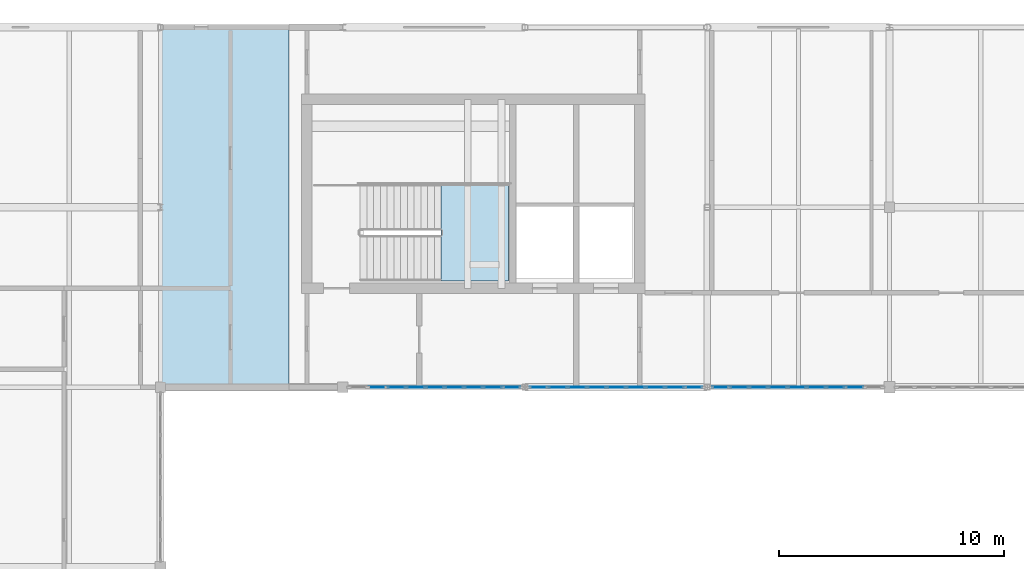
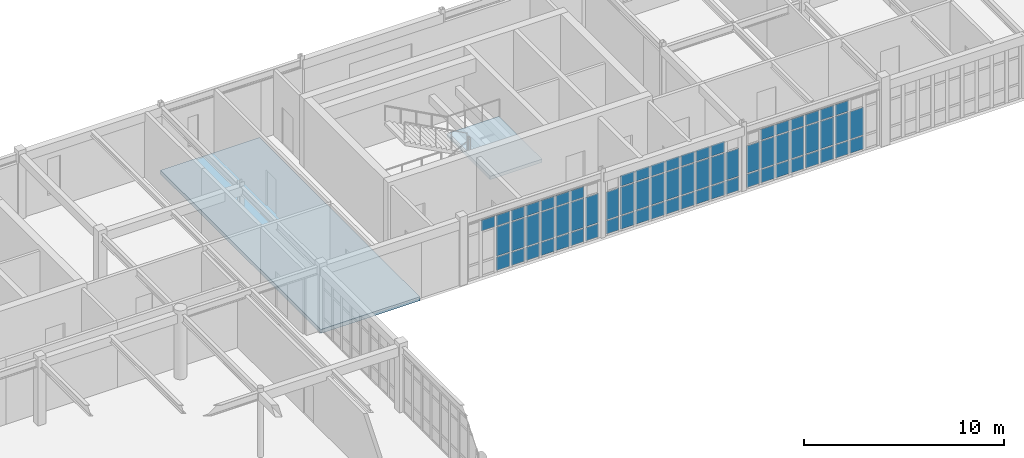
# One storey, part 26 of 36: 68 plates, 2 slabs, 4 elements without a shape of their own.
"""IFC4 building model written with IfcOpenShell, lengths in metres."""

from ifc_helpers import new_model, si_unit, direction, frame, origin, origin_2d, place, context, subcontext, project, spatial, polyline, rectangle, outline, extrude, material, layer, layer_set, type_object, element, aggregate, save


model = new_model("IFC4")

# Units and contexts
model_context = context("Model", 3, precision=1e-05, world=origin(), true_north=direction((0.0, 1.0)))
body_context = subcontext(model_context, "Body", "Model", "MODEL_VIEW")
ifc_project = project(units=[si_unit("LENGTHUNIT", "METRE"), si_unit("AREAUNIT", "SQUARE_METRE"), si_unit("VOLUMEUNIT", "CUBIC_METRE"), si_unit("PLANEANGLEUNIT", "RADIAN"), si_unit("MASSUNIT", "GRAM", prefix="KILO")], contexts=[model_context])

# Site, building, storey
site_placement = place(None, origin())
site = spatial("IfcSite", under=ifc_project, at=site_placement, CompositionType="ELEMENT")
building_placement = place(site_placement, origin())
building = spatial("IfcBuilding", under=site, at=building_placement, Name="Tarnveldt Square Police Headquarters", CompositionType="ELEMENT")
storey_placement = place(building_placement, frame((0.0, 0.0, 24.89990234375)))
storey = spatial("IfcBuildingStorey", under=building, at=storey_placement, Name="L05", CompositionType="ELEMENT", Elevation=24.89990234375)

# Curtain wall, plates
ifc_material_1 = material(Name="Triple-glazed low-e laminated vision glass", Category="glass")
curtain_wall_type_1 = type_object("IfcCurtainWallType", Name="CW-LB-771x349", PredefinedType="USERDEFINED", material=ifc_material_1)
curtain_wall_1_placement = place(storey_placement, origin())
curtain_wall_1 = element("IfcCurtainWall", 1, at=curtain_wall_1_placement, inside=storey, type_object=curtain_wall_type_1, Name="L05 Curtain Wall CW-L05-133", ObjectType="GLAZED CURTAIN WALL", PredefinedType="USERDEFINED")
ifc_layer_1 = layer(ifc_material_1, 0.028076171875)
ifc_layer_set_1 = layer_set([ifc_layer_1], Name="Triple-glazed low-e laminated vision glass")
plate_type = type_object("IfcPlateType", Name="CWP-VIS-28", PredefinedType="CURTAIN_PANEL", material=ifc_layer_set_1)
plate_1_placement = place(storey_placement, frame((50.125732421875, 96.0, 2.771484375), z_axis=(0.0, 0.0, 1.0), x_axis=(1.0, 0.0, 0.0)))
plate_1 = element("IfcPlate", 2, at=plate_1_placement, type_object=plate_type, Name="CW-LB80 panel 2.3", PredefinedType="CURTAIN_PANEL", context=body_context, shape_type="SweptSolid", body=[
    extrude(rectangle(XDim=0.7822265625, YDim=0.028076171875, at=origin_2d()), origin(), (0.0, 0.0, 1.0), 0.652587890625),
])
plate_2_placement = place(storey_placement, frame((50.983154296875, 96.0, 0.06494140625), z_axis=(0.0, 0.0, 1.0), x_axis=(1.0, 0.0, 0.0)))
plate_2 = element("IfcPlate", 3, at=plate_2_placement, type_object=plate_type, Name="CW-LB80 panel 3.1", PredefinedType="CURTAIN_PANEL", context=body_context, shape_type="SweptSolid", body=[
    extrude(rectangle(XDim=0.7822265625, YDim=0.028076171875, at=origin_2d()), origin(), (0.0, 0.0, 1.0), 0.802490234375),
])
plate_3_placement = place(storey_placement, frame((50.983154296875, 96.0, 0.9326171875), z_axis=(0.0, 0.0, 1.0), x_axis=(1.0, 0.0, 0.0)))
plate_3 = element("IfcPlate", 4, at=plate_3_placement, type_object=plate_type, Name="CW-LB80 panel 3.2", PredefinedType="CURTAIN_PANEL", context=body_context, shape_type="SweptSolid", body=[
    extrude(rectangle(XDim=0.7822265625, YDim=0.028076171875, at=origin_2d()), origin(), (0.0, 0.0, 1.0), 1.77392578125),
])
plate_4_placement = place(storey_placement, frame((50.983154296875, 96.0, 2.771484375), z_axis=(0.0, 0.0, 1.0), x_axis=(1.0, 0.0, 0.0)))
plate_4 = element("IfcPlate", 5, at=plate_4_placement, type_object=plate_type, Name="CW-LB80 panel 3.3", PredefinedType="CURTAIN_PANEL", context=body_context, shape_type="SweptSolid", body=[
    extrude(rectangle(XDim=0.7822265625, YDim=0.028076171875, at=origin_2d()), origin(), (0.0, 0.0, 1.0), 0.652587890625),
])
plate_5_placement = place(storey_placement, frame((51.84033203125, 96.0, 0.06494140625), z_axis=(0.0, 0.0, 1.0), x_axis=(1.0, 0.0, 0.0)))
plate_5 = element("IfcPlate", 6, at=plate_5_placement, type_object=plate_type, Name="CW-LB80 panel 4.1", PredefinedType="CURTAIN_PANEL", context=body_context, shape_type="SweptSolid", body=[
    extrude(rectangle(XDim=0.7822265625, YDim=0.028076171875, at=origin_2d()), origin(), (0.0, 0.0, 1.0), 0.802490234375),
])
plate_6_placement = place(storey_placement, frame((51.84033203125, 96.0, 0.9326171875), z_axis=(0.0, 0.0, 1.0), x_axis=(1.0, 0.0, 0.0)))
plate_6 = element("IfcPlate", 7, at=plate_6_placement, type_object=plate_type, Name="CW-LB80 panel 4.2", PredefinedType="CURTAIN_PANEL", context=body_context, shape_type="SweptSolid", body=[
    extrude(rectangle(XDim=0.7822265625, YDim=0.028076171875, at=origin_2d()), origin(), (0.0, 0.0, 1.0), 1.77392578125),
])
plate_7_placement = place(storey_placement, frame((51.84033203125, 96.0, 2.771484375), z_axis=(0.0, 0.0, 1.0), x_axis=(1.0, 0.0, 0.0)))
plate_7 = element("IfcPlate", 8, at=plate_7_placement, type_object=plate_type, Name="CW-LB80 panel 4.3", PredefinedType="CURTAIN_PANEL", context=body_context, shape_type="SweptSolid", body=[
    extrude(rectangle(XDim=0.7822265625, YDim=0.028076171875, at=origin_2d()), origin(), (0.0, 0.0, 1.0), 0.652587890625),
])
plate_8_placement = place(storey_placement, frame((52.697509765625, 96.0, 0.06494140625), z_axis=(0.0, 0.0, 1.0), x_axis=(1.0, 0.0, 0.0)))
plate_8 = element("IfcPlate", 9, at=plate_8_placement, type_object=plate_type, Name="CW-LB80 panel 5.1", PredefinedType="CURTAIN_PANEL", context=body_context, shape_type="SweptSolid", body=[
    extrude(rectangle(XDim=0.7822265625, YDim=0.028076171875, at=origin_2d()), origin(), (0.0, 0.0, 1.0), 0.802490234375),
])
plate_9_placement = place(storey_placement, frame((52.697509765625, 96.0, 0.9326171875), z_axis=(0.0, 0.0, 1.0), x_axis=(1.0, 0.0, 0.0)))
plate_9 = element("IfcPlate", 10, at=plate_9_placement, type_object=plate_type, Name="CW-LB80 panel 5.2", PredefinedType="CURTAIN_PANEL", context=body_context, shape_type="SweptSolid", body=[
    extrude(rectangle(XDim=0.7822265625, YDim=0.028076171875, at=origin_2d()), origin(), (0.0, 0.0, 1.0), 1.77392578125),
])
plate_10_placement = place(storey_placement, frame((52.697509765625, 96.0, 2.771484375), z_axis=(0.0, 0.0, 1.0), x_axis=(1.0, 0.0, 0.0)))
plate_10 = element("IfcPlate", 11, at=plate_10_placement, type_object=plate_type, Name="CW-LB80 panel 5.3", PredefinedType="CURTAIN_PANEL", context=body_context, shape_type="SweptSolid", body=[
    extrude(rectangle(XDim=0.7822265625, YDim=0.028076171875, at=origin_2d()), origin(), (0.0, 0.0, 1.0), 0.652587890625),
])
plate_11_placement = place(storey_placement, frame((53.5546875, 96.0, 0.06494140625), z_axis=(0.0, 0.0, 1.0), x_axis=(1.0, 0.0, 0.0)))
plate_11 = element("IfcPlate", 12, at=plate_11_placement, type_object=plate_type, Name="CW-LB80 panel 6.1", PredefinedType="CURTAIN_PANEL", context=body_context, shape_type="SweptSolid", body=[
    extrude(rectangle(XDim=0.7822265625, YDim=0.028076171875, at=origin_2d()), origin(), (0.0, 0.0, 1.0), 0.802490234375),
])
plate_12_placement = place(storey_placement, frame((53.5546875, 96.0, 0.9326171875), z_axis=(0.0, 0.0, 1.0), x_axis=(1.0, 0.0, 0.0)))
plate_12 = element("IfcPlate", 13, at=plate_12_placement, type_object=plate_type, Name="CW-LB80 panel 6.2", PredefinedType="CURTAIN_PANEL", context=body_context, shape_type="SweptSolid", body=[
    extrude(rectangle(XDim=0.7822265625, YDim=0.028076171875, at=origin_2d()), origin(), (0.0, 0.0, 1.0), 1.77392578125),
])
plate_13_placement = place(storey_placement, frame((53.5546875, 96.0, 2.771484375), z_axis=(0.0, 0.0, 1.0), x_axis=(1.0, 0.0, 0.0)))
plate_13 = element("IfcPlate", 14, at=plate_13_placement, type_object=plate_type, Name="CW-LB80 panel 6.3", PredefinedType="CURTAIN_PANEL", context=body_context, shape_type="SweptSolid", body=[
    extrude(rectangle(XDim=0.7822265625, YDim=0.028076171875, at=origin_2d()), origin(), (0.0, 0.0, 1.0), 0.652587890625),
])
plate_14_placement = place(storey_placement, frame((54.411865234375, 96.0, 0.06494140625), z_axis=(0.0, 0.0, 1.0), x_axis=(1.0, 0.0, 0.0)))
plate_14 = element("IfcPlate", 15, at=plate_14_placement, type_object=plate_type, Name="CW-LB80 panel 7.1", PredefinedType="CURTAIN_PANEL", context=body_context, shape_type="SweptSolid", body=[
    extrude(rectangle(XDim=0.7822265625, YDim=0.028076171875, at=origin_2d()), origin(), (0.0, 0.0, 1.0), 0.802490234375),
])
plate_15_placement = place(storey_placement, frame((54.411865234375, 96.0, 0.9326171875), z_axis=(0.0, 0.0, 1.0), x_axis=(1.0, 0.0, 0.0)))
plate_15 = element("IfcPlate", 16, at=plate_15_placement, type_object=plate_type, Name="CW-LB80 panel 7.2", PredefinedType="CURTAIN_PANEL", context=body_context, shape_type="SweptSolid", body=[
    extrude(rectangle(XDim=0.7822265625, YDim=0.028076171875, at=origin_2d()), origin(), (0.0, 0.0, 1.0), 1.77392578125),
])
plate_16_placement = place(storey_placement, frame((54.411865234375, 96.0, 2.771484375), z_axis=(0.0, 0.0, 1.0), x_axis=(1.0, 0.0, 0.0)))
plate_16 = element("IfcPlate", 17, at=plate_16_placement, type_object=plate_type, Name="CW-LB80 panel 7.3", PredefinedType="CURTAIN_PANEL", context=body_context, shape_type="SweptSolid", body=[
    extrude(rectangle(XDim=0.7822265625, YDim=0.028076171875, at=origin_2d()), origin(), (0.0, 0.0, 1.0), 0.652587890625),
])
plate_17_placement = place(storey_placement, frame((55.269287109375, 96.0, 0.06494140625), z_axis=(0.0, 0.0, 1.0), x_axis=(1.0, 0.0, 0.0)))
plate_17 = element("IfcPlate", 18, at=plate_17_placement, type_object=plate_type, Name="CW-LB80 panel 8.1", PredefinedType="CURTAIN_PANEL", context=body_context, shape_type="SweptSolid", body=[
    extrude(rectangle(XDim=0.7822265625, YDim=0.028076171875, at=origin_2d()), origin(), (0.0, 0.0, 1.0), 0.802490234375),
])
plate_18_placement = place(storey_placement, frame((55.269287109375, 96.0, 0.9326171875), z_axis=(0.0, 0.0, 1.0), x_axis=(1.0, 0.0, 0.0)))
plate_18 = element("IfcPlate", 19, at=plate_18_placement, type_object=plate_type, Name="CW-LB80 panel 8.2", PredefinedType="CURTAIN_PANEL", context=body_context, shape_type="SweptSolid", body=[
    extrude(rectangle(XDim=0.7822265625, YDim=0.028076171875, at=origin_2d()), origin(), (0.0, 0.0, 1.0), 1.77392578125),
])
plate_19_placement = place(storey_placement, frame((55.269287109375, 96.0, 2.771484375), z_axis=(0.0, 0.0, 1.0), x_axis=(1.0, 0.0, 0.0)))
plate_19 = element("IfcPlate", 20, at=plate_19_placement, type_object=plate_type, Name="CW-LB80 panel 8.3", PredefinedType="CURTAIN_PANEL", context=body_context, shape_type="SweptSolid", body=[
    extrude(rectangle(XDim=0.7822265625, YDim=0.028076171875, at=origin_2d()), origin(), (0.0, 0.0, 1.0), 0.652587890625),
])
plate_20_placement = place(storey_placement, frame((56.107666015625, 96.0, 0.06494140625), z_axis=(0.0, 0.0, 1.0), x_axis=(1.0, 0.0, 0.0)))
plate_20 = element("IfcPlate", 21, at=plate_20_placement, type_object=plate_type, Name="CW-LB80 panel 9.1", PredefinedType="CURTAIN_PANEL", context=body_context, shape_type="SweptSolid", body=[
    extrude(rectangle(XDim=0.74462890625, YDim=0.028076171875, at=origin_2d()), origin(), (0.0, 0.0, 1.0), 0.802490234375),
])
plate_21_placement = place(storey_placement, frame((56.107666015625, 96.0, 0.9326171875), z_axis=(0.0, 0.0, 1.0), x_axis=(1.0, 0.0, 0.0)))
plate_21 = element("IfcPlate", 22, at=plate_21_placement, type_object=plate_type, Name="CW-LB80 panel 9.2", PredefinedType="CURTAIN_PANEL", context=body_context, shape_type="SweptSolid", body=[
    extrude(rectangle(XDim=0.74462890625, YDim=0.028076171875, at=origin_2d()), origin(), (0.0, 0.0, 1.0), 1.77392578125),
])
aggregate(curtain_wall_1, [plate_1, plate_2, plate_3, plate_4, plate_5, plate_6, plate_7, plate_8, plate_9, plate_10, plate_11, plate_12, plate_13, plate_14, plate_15, plate_16, plate_17, plate_18, plate_19, plate_20, plate_21])

curtain_wall_type_2 = type_object("IfcCurtainWallType", Name="CW-LB-781x340", PredefinedType="USERDEFINED", material=ifc_material_1)
curtain_wall_2_placement = place(storey_placement, origin())
curtain_wall_2 = element("IfcCurtainWall", 23, at=curtain_wall_2_placement, inside=storey, type_object=curtain_wall_type_2, Name="L05 Curtain Wall CW-L05-134", ObjectType="GLAZED CURTAIN WALL", PredefinedType="USERDEFINED")
plate_22_placement = place(storey_placement, frame((57.297607421875, 96.0, 0.06494140625), z_axis=(0.0, 0.0, 1.0), x_axis=(1.0, 0.0, 0.0)))
plate_22 = element("IfcPlate", 24, at=plate_22_placement, type_object=plate_type, Name="CW-LB81 panel 1.1", PredefinedType="CURTAIN_PANEL", context=body_context, shape_type="SweptSolid", body=[
    extrude(rectangle(XDim=0.75537109375, YDim=0.028076171875, at=origin_2d()), origin(), (0.0, 0.0, 1.0), 0.802490234375),
])
plate_23_placement = place(storey_placement, frame((57.297607421875, 96.0, 0.9326171875), z_axis=(0.0, 0.0, 1.0), x_axis=(1.0, 0.0, 0.0)))
plate_23 = element("IfcPlate", 25, at=plate_23_placement, type_object=plate_type, Name="CW-LB81 panel 1.2", PredefinedType="CURTAIN_PANEL", context=body_context, shape_type="SweptSolid", body=[
    extrude(rectangle(XDim=0.75537109375, YDim=0.028076171875, at=origin_2d()), origin(), (0.0, 0.0, 1.0), 1.68701171875),
])
plate_24_placement = place(storey_placement, frame((58.146728515625, 96.0, 0.06494140625), z_axis=(0.0, 0.0, 1.0), x_axis=(1.0, 0.0, 0.0)))
plate_24 = element("IfcPlate", 26, at=plate_24_placement, type_object=plate_type, Name="CW-LB81 panel 2.1", PredefinedType="CURTAIN_PANEL", context=body_context, shape_type="SweptSolid", body=[
    extrude(rectangle(XDim=0.792724609375, YDim=0.028076171875, at=origin_2d()), origin(), (0.0, 0.0, 1.0), 0.802490234375),
])
plate_25_placement = place(storey_placement, frame((58.146728515625, 96.0, 0.9326171875), z_axis=(0.0, 0.0, 1.0), x_axis=(1.0, 0.0, 0.0)))
plate_25 = element("IfcPlate", 27, at=plate_25_placement, type_object=plate_type, Name="CW-LB81 panel 2.2", PredefinedType="CURTAIN_PANEL", context=body_context, shape_type="SweptSolid", body=[
    extrude(rectangle(XDim=0.792724609375, YDim=0.028076171875, at=origin_2d()), origin(), (0.0, 0.0, 1.0), 1.68701171875),
])
plate_26_placement = place(storey_placement, frame((58.146728515625, 96.0, 2.6845703125), z_axis=(0.0, 0.0, 1.0), x_axis=(1.0, 0.0, 0.0)))
plate_26 = element("IfcPlate", 28, at=plate_26_placement, type_object=plate_type, Name="CW-LB81 panel 2.3", PredefinedType="CURTAIN_PANEL", context=body_context, shape_type="SweptSolid", body=[
    extrude(rectangle(XDim=0.792724609375, YDim=0.028076171875, at=origin_2d()), origin(), (0.0, 0.0, 1.0), 0.652587890625),
])
plate_27_placement = place(storey_placement, frame((59.014404296875, 96.0, 0.06494140625), z_axis=(0.0, 0.0, 1.0), x_axis=(1.0, 0.0, 0.0)))
plate_27 = element("IfcPlate", 29, at=plate_27_placement, type_object=plate_type, Name="CW-LB81 panel 3.1", PredefinedType="CURTAIN_PANEL", context=body_context, shape_type="SweptSolid", body=[
    extrude(rectangle(XDim=0.792724609375, YDim=0.028076171875, at=origin_2d()), origin(), (0.0, 0.0, 1.0), 0.802490234375),
])
plate_28_placement = place(storey_placement, frame((59.014404296875, 96.0, 0.9326171875), z_axis=(0.0, 0.0, 1.0), x_axis=(1.0, 0.0, 0.0)))
plate_28 = element("IfcPlate", 30, at=plate_28_placement, type_object=plate_type, Name="CW-LB81 panel 3.2", PredefinedType="CURTAIN_PANEL", context=body_context, shape_type="SweptSolid", body=[
    extrude(rectangle(XDim=0.792724609375, YDim=0.028076171875, at=origin_2d()), origin(), (0.0, 0.0, 1.0), 1.68701171875),
])
plate_29_placement = place(storey_placement, frame((59.014404296875, 96.0, 2.6845703125), z_axis=(0.0, 0.0, 1.0), x_axis=(1.0, 0.0, 0.0)))
plate_29 = element("IfcPlate", 31, at=plate_29_placement, type_object=plate_type, Name="CW-LB81 panel 3.3", PredefinedType="CURTAIN_PANEL", context=body_context, shape_type="SweptSolid", body=[
    extrude(rectangle(XDim=0.792724609375, YDim=0.028076171875, at=origin_2d()), origin(), (0.0, 0.0, 1.0), 0.652587890625),
])
plate_30_placement = place(storey_placement, frame((59.88232421875, 96.0, 0.06494140625), z_axis=(0.0, 0.0, 1.0), x_axis=(1.0, 0.0, 0.0)))
plate_30 = element("IfcPlate", 32, at=plate_30_placement, type_object=plate_type, Name="CW-LB81 panel 4.1", PredefinedType="CURTAIN_PANEL", context=body_context, shape_type="SweptSolid", body=[
    extrude(rectangle(XDim=0.792724609375, YDim=0.028076171875, at=origin_2d()), origin(), (0.0, 0.0, 1.0), 0.802490234375),
])
plate_31_placement = place(storey_placement, frame((59.88232421875, 96.0, 0.9326171875), z_axis=(0.0, 0.0, 1.0), x_axis=(1.0, 0.0, 0.0)))
plate_31 = element("IfcPlate", 33, at=plate_31_placement, type_object=plate_type, Name="CW-LB81 panel 4.2", PredefinedType="CURTAIN_PANEL", context=body_context, shape_type="SweptSolid", body=[
    extrude(rectangle(XDim=0.792724609375, YDim=0.028076171875, at=origin_2d()), origin(), (0.0, 0.0, 1.0), 1.68701171875),
])
plate_32_placement = place(storey_placement, frame((59.88232421875, 96.0, 2.6845703125), z_axis=(0.0, 0.0, 1.0), x_axis=(1.0, 0.0, 0.0)))
plate_32 = element("IfcPlate", 34, at=plate_32_placement, type_object=plate_type, Name="CW-LB81 panel 4.3", PredefinedType="CURTAIN_PANEL", context=body_context, shape_type="SweptSolid", body=[
    extrude(rectangle(XDim=0.792724609375, YDim=0.028076171875, at=origin_2d()), origin(), (0.0, 0.0, 1.0), 0.652587890625),
])
plate_33_placement = place(storey_placement, frame((60.75, 96.0, 0.06494140625), z_axis=(0.0, 0.0, 1.0), x_axis=(1.0, 0.0, 0.0)))
plate_33 = element("IfcPlate", 35, at=plate_33_placement, type_object=plate_type, Name="CW-LB81 panel 5.1", PredefinedType="CURTAIN_PANEL", context=body_context, shape_type="SweptSolid", body=[
    extrude(rectangle(XDim=0.792724609375, YDim=0.028076171875, at=origin_2d()), origin(), (0.0, 0.0, 1.0), 0.802490234375),
])
plate_34_placement = place(storey_placement, frame((60.75, 96.0, 0.9326171875), z_axis=(0.0, 0.0, 1.0), x_axis=(1.0, 0.0, 0.0)))
plate_34 = element("IfcPlate", 36, at=plate_34_placement, type_object=plate_type, Name="CW-LB81 panel 5.2", PredefinedType="CURTAIN_PANEL", context=body_context, shape_type="SweptSolid", body=[
    extrude(rectangle(XDim=0.792724609375, YDim=0.028076171875, at=origin_2d()), origin(), (0.0, 0.0, 1.0), 1.68701171875),
])
plate_35_placement = place(storey_placement, frame((60.75, 96.0, 2.6845703125), z_axis=(0.0, 0.0, 1.0), x_axis=(1.0, 0.0, 0.0)))
plate_35 = element("IfcPlate", 37, at=plate_35_placement, type_object=plate_type, Name="CW-LB81 panel 5.3", PredefinedType="CURTAIN_PANEL", context=body_context, shape_type="SweptSolid", body=[
    extrude(rectangle(XDim=0.792724609375, YDim=0.028076171875, at=origin_2d()), origin(), (0.0, 0.0, 1.0), 0.652587890625),
])
plate_36_placement = place(storey_placement, frame((61.61767578125, 96.0, 0.06494140625), z_axis=(0.0, 0.0, 1.0), x_axis=(1.0, 0.0, 0.0)))
plate_36 = element("IfcPlate", 38, at=plate_36_placement, type_object=plate_type, Name="CW-LB81 panel 6.1", PredefinedType="CURTAIN_PANEL", context=body_context, shape_type="SweptSolid", body=[
    extrude(rectangle(XDim=0.792724609375, YDim=0.028076171875, at=origin_2d()), origin(), (0.0, 0.0, 1.0), 0.802490234375),
])
plate_37_placement = place(storey_placement, frame((61.61767578125, 96.0, 0.9326171875), z_axis=(0.0, 0.0, 1.0), x_axis=(1.0, 0.0, 0.0)))
plate_37 = element("IfcPlate", 39, at=plate_37_placement, type_object=plate_type, Name="CW-LB81 panel 6.2", PredefinedType="CURTAIN_PANEL", context=body_context, shape_type="SweptSolid", body=[
    extrude(rectangle(XDim=0.792724609375, YDim=0.028076171875, at=origin_2d()), origin(), (0.0, 0.0, 1.0), 1.68701171875),
])
plate_38_placement = place(storey_placement, frame((61.61767578125, 96.0, 2.6845703125), z_axis=(0.0, 0.0, 1.0), x_axis=(1.0, 0.0, 0.0)))
plate_38 = element("IfcPlate", 40, at=plate_38_placement, type_object=plate_type, Name="CW-LB81 panel 6.3", PredefinedType="CURTAIN_PANEL", context=body_context, shape_type="SweptSolid", body=[
    extrude(rectangle(XDim=0.792724609375, YDim=0.028076171875, at=origin_2d()), origin(), (0.0, 0.0, 1.0), 0.652587890625),
])
plate_39_placement = place(storey_placement, frame((62.485595703125, 96.0, 0.06494140625), z_axis=(0.0, 0.0, 1.0), x_axis=(1.0, 0.0, 0.0)))
plate_39 = element("IfcPlate", 41, at=plate_39_placement, type_object=plate_type, Name="CW-LB81 panel 7.1", PredefinedType="CURTAIN_PANEL", context=body_context, shape_type="SweptSolid", body=[
    extrude(rectangle(XDim=0.792724609375, YDim=0.028076171875, at=origin_2d()), origin(), (0.0, 0.0, 1.0), 0.802490234375),
])
plate_40_placement = place(storey_placement, frame((62.485595703125, 96.0, 0.9326171875), z_axis=(0.0, 0.0, 1.0), x_axis=(1.0, 0.0, 0.0)))
plate_40 = element("IfcPlate", 42, at=plate_40_placement, type_object=plate_type, Name="CW-LB81 panel 7.2", PredefinedType="CURTAIN_PANEL", context=body_context, shape_type="SweptSolid", body=[
    extrude(rectangle(XDim=0.792724609375, YDim=0.028076171875, at=origin_2d()), origin(), (0.0, 0.0, 1.0), 1.68701171875),
])
plate_41_placement = place(storey_placement, frame((62.485595703125, 96.0, 2.6845703125), z_axis=(0.0, 0.0, 1.0), x_axis=(1.0, 0.0, 0.0)))
plate_41 = element("IfcPlate", 43, at=plate_41_placement, type_object=plate_type, Name="CW-LB81 panel 7.3", PredefinedType="CURTAIN_PANEL", context=body_context, shape_type="SweptSolid", body=[
    extrude(rectangle(XDim=0.792724609375, YDim=0.028076171875, at=origin_2d()), origin(), (0.0, 0.0, 1.0), 0.652587890625),
])
plate_42_placement = place(storey_placement, frame((63.353271484375, 96.0, 0.06494140625), z_axis=(0.0, 0.0, 1.0), x_axis=(1.0, 0.0, 0.0)))
plate_42 = element("IfcPlate", 44, at=plate_42_placement, type_object=plate_type, Name="CW-LB81 panel 8.1", PredefinedType="CURTAIN_PANEL", context=body_context, shape_type="SweptSolid", body=[
    extrude(rectangle(XDim=0.792724609375, YDim=0.028076171875, at=origin_2d()), origin(), (0.0, 0.0, 1.0), 0.802490234375),
])
plate_43_placement = place(storey_placement, frame((63.353271484375, 96.0, 0.9326171875), z_axis=(0.0, 0.0, 1.0), x_axis=(1.0, 0.0, 0.0)))
plate_43 = element("IfcPlate", 45, at=plate_43_placement, type_object=plate_type, Name="CW-LB81 panel 8.2", PredefinedType="CURTAIN_PANEL", context=body_context, shape_type="SweptSolid", body=[
    extrude(rectangle(XDim=0.792724609375, YDim=0.028076171875, at=origin_2d()), origin(), (0.0, 0.0, 1.0), 1.68701171875),
])
plate_44_placement = place(storey_placement, frame((63.353271484375, 96.0, 2.6845703125), z_axis=(0.0, 0.0, 1.0), x_axis=(1.0, 0.0, 0.0)))
plate_44 = element("IfcPlate", 46, at=plate_44_placement, type_object=plate_type, Name="CW-LB81 panel 8.3", PredefinedType="CURTAIN_PANEL", context=body_context, shape_type="SweptSolid", body=[
    extrude(rectangle(XDim=0.792724609375, YDim=0.028076171875, at=origin_2d()), origin(), (0.0, 0.0, 1.0), 0.652587890625),
])
plate_45_placement = place(storey_placement, frame((64.202392578125, 96.0, 0.06494140625), z_axis=(0.0, 0.0, 1.0), x_axis=(1.0, 0.0, 0.0)))
plate_45 = element("IfcPlate", 47, at=plate_45_placement, type_object=plate_type, Name="CW-LB81 panel 9.1", PredefinedType="CURTAIN_PANEL", context=body_context, shape_type="SweptSolid", body=[
    extrude(rectangle(XDim=0.75537109375, YDim=0.028076171875, at=origin_2d()), origin(), (0.0, 0.0, 1.0), 0.802490234375),
])
plate_46_placement = place(storey_placement, frame((64.202392578125, 96.0, 0.9326171875), z_axis=(0.0, 0.0, 1.0), x_axis=(1.0, 0.0, 0.0)))
plate_46 = element("IfcPlate", 48, at=plate_46_placement, type_object=plate_type, Name="CW-LB81 panel 9.2", PredefinedType="CURTAIN_PANEL", context=body_context, shape_type="SweptSolid", body=[
    extrude(rectangle(XDim=0.75537109375, YDim=0.028076171875, at=origin_2d()), origin(), (0.0, 0.0, 1.0), 1.68701171875),
])
aggregate(curtain_wall_2, [plate_22, plate_23, plate_24, plate_25, plate_26, plate_27, plate_28, plate_29, plate_30, plate_31, plate_32, plate_33, plate_34, plate_35, plate_36, plate_37, plate_38, plate_39, plate_40, plate_41, plate_42, plate_43, plate_44, plate_45, plate_46])

curtain_wall_type_3 = type_object("IfcCurtainWallType", Name="CW-LB-769x339", PredefinedType="USERDEFINED", material=ifc_material_1)
curtain_wall_3_placement = place(storey_placement, origin())
curtain_wall_3 = element("IfcCurtainWall", 49, at=curtain_wall_3_placement, inside=storey, type_object=curtain_wall_type_3, Name="L05 Curtain Wall CW-L05-135", ObjectType="GLAZED CURTAIN WALL", PredefinedType="USERDEFINED")
plate_47_placement = place(storey_placement, frame((65.390869140625, 96.0, 0.06494140625), z_axis=(0.0, 0.0, 1.0), x_axis=(1.0, 0.0, 0.0)))
plate_47 = element("IfcPlate", 50, at=plate_47_placement, type_object=plate_type, Name="CW-LB82 panel 1.1", PredefinedType="CURTAIN_PANEL", context=body_context, shape_type="SweptSolid", body=[
    extrude(rectangle(XDim=0.741943359375, YDim=0.028076171875, at=origin_2d()), origin(), (0.0, 0.0, 1.0), 0.802490234375),
])
plate_48_placement = place(storey_placement, frame((65.390869140625, 96.0, 0.9326171875), z_axis=(0.0, 0.0, 1.0), x_axis=(1.0, 0.0, 0.0)))
plate_48 = element("IfcPlate", 51, at=plate_48_placement, type_object=plate_type, Name="CW-LB82 panel 1.2", PredefinedType="CURTAIN_PANEL", context=body_context, shape_type="SweptSolid", body=[
    extrude(rectangle(XDim=0.741943359375, YDim=0.028076171875, at=origin_2d()), origin(), (0.0, 0.0, 1.0), 1.674072265625),
])
plate_49_placement = place(storey_placement, frame((66.2265625, 96.0, 0.06494140625), z_axis=(0.0, 0.0, 1.0), x_axis=(1.0, 0.0, 0.0)))
plate_49 = element("IfcPlate", 52, at=plate_49_placement, type_object=plate_type, Name="CW-LB82 panel 2.1", PredefinedType="CURTAIN_PANEL", context=body_context, shape_type="SweptSolid", body=[
    extrude(rectangle(XDim=0.779541015625, YDim=0.028076171875, at=origin_2d()), origin(), (0.0, 0.0, 1.0), 0.802490234375),
])
plate_50_placement = place(storey_placement, frame((66.2265625, 96.0, 0.9326171875), z_axis=(0.0, 0.0, 1.0), x_axis=(1.0, 0.0, 0.0)))
plate_50 = element("IfcPlate", 53, at=plate_50_placement, type_object=plate_type, Name="CW-LB82 panel 2.2", PredefinedType="CURTAIN_PANEL", context=body_context, shape_type="SweptSolid", body=[
    extrude(rectangle(XDim=0.779541015625, YDim=0.028076171875, at=origin_2d()), origin(), (0.0, 0.0, 1.0), 1.674072265625),
])
plate_51_placement = place(storey_placement, frame((66.2265625, 96.0, 2.67138671875), z_axis=(0.0, 0.0, 1.0), x_axis=(1.0, 0.0, 0.0)))
plate_51 = element("IfcPlate", 54, at=plate_51_placement, type_object=plate_type, Name="CW-LB82 panel 2.3", PredefinedType="CURTAIN_PANEL", context=body_context, shape_type="SweptSolid", body=[
    extrude(rectangle(XDim=0.779541015625, YDim=0.028076171875, at=origin_2d()), origin(), (0.0, 0.0, 1.0), 0.652587890625),
])
plate_52_placement = place(storey_placement, frame((67.0810546875, 96.0, 0.06494140625), z_axis=(0.0, 0.0, 1.0), x_axis=(1.0, 0.0, 0.0)))
plate_52 = element("IfcPlate", 55, at=plate_52_placement, type_object=plate_type, Name="CW-LB82 panel 3.1", PredefinedType="CURTAIN_PANEL", context=body_context, shape_type="SweptSolid", body=[
    extrude(rectangle(XDim=0.779541015625, YDim=0.028076171875, at=origin_2d()), origin(), (0.0, 0.0, 1.0), 0.802490234375),
])
plate_53_placement = place(storey_placement, frame((67.0810546875, 96.0, 0.9326171875), z_axis=(0.0, 0.0, 1.0), x_axis=(1.0, 0.0, 0.0)))
plate_53 = element("IfcPlate", 56, at=plate_53_placement, type_object=plate_type, Name="CW-LB82 panel 3.2", PredefinedType="CURTAIN_PANEL", context=body_context, shape_type="SweptSolid", body=[
    extrude(rectangle(XDim=0.779541015625, YDim=0.028076171875, at=origin_2d()), origin(), (0.0, 0.0, 1.0), 1.674072265625),
])
plate_54_placement = place(storey_placement, frame((67.0810546875, 96.0, 2.67138671875), z_axis=(0.0, 0.0, 1.0), x_axis=(1.0, 0.0, 0.0)))
plate_54 = element("IfcPlate", 57, at=plate_54_placement, type_object=plate_type, Name="CW-LB82 panel 3.3", PredefinedType="CURTAIN_PANEL", context=body_context, shape_type="SweptSolid", body=[
    extrude(rectangle(XDim=0.779541015625, YDim=0.028076171875, at=origin_2d()), origin(), (0.0, 0.0, 1.0), 0.652587890625),
])
plate_55_placement = place(storey_placement, frame((67.935546875, 96.0, 0.06494140625), z_axis=(0.0, 0.0, 1.0), x_axis=(1.0, 0.0, 0.0)))
plate_55 = element("IfcPlate", 58, at=plate_55_placement, type_object=plate_type, Name="CW-LB82 panel 4.1", PredefinedType="CURTAIN_PANEL", context=body_context, shape_type="SweptSolid", body=[
    extrude(rectangle(XDim=0.779541015625, YDim=0.028076171875, at=origin_2d()), origin(), (0.0, 0.0, 1.0), 0.802490234375),
])
plate_56_placement = place(storey_placement, frame((67.935546875, 96.0, 0.9326171875), z_axis=(0.0, 0.0, 1.0), x_axis=(1.0, 0.0, 0.0)))
plate_56 = element("IfcPlate", 59, at=plate_56_placement, type_object=plate_type, Name="CW-LB82 panel 4.2", PredefinedType="CURTAIN_PANEL", context=body_context, shape_type="SweptSolid", body=[
    extrude(rectangle(XDim=0.779541015625, YDim=0.028076171875, at=origin_2d()), origin(), (0.0, 0.0, 1.0), 1.674072265625),
])
plate_57_placement = place(storey_placement, frame((67.935546875, 96.0, 2.67138671875), z_axis=(0.0, 0.0, 1.0), x_axis=(1.0, 0.0, 0.0)))
plate_57 = element("IfcPlate", 60, at=plate_57_placement, type_object=plate_type, Name="CW-LB82 panel 4.3", PredefinedType="CURTAIN_PANEL", context=body_context, shape_type="SweptSolid", body=[
    extrude(rectangle(XDim=0.779541015625, YDim=0.028076171875, at=origin_2d()), origin(), (0.0, 0.0, 1.0), 0.652587890625),
])
plate_58_placement = place(storey_placement, frame((68.7900390625, 96.0, 0.06494140625), z_axis=(0.0, 0.0, 1.0), x_axis=(1.0, 0.0, 0.0)))
plate_58 = element("IfcPlate", 61, at=plate_58_placement, type_object=plate_type, Name="CW-LB82 panel 5.1", PredefinedType="CURTAIN_PANEL", context=body_context, shape_type="SweptSolid", body=[
    extrude(rectangle(XDim=0.779541015625, YDim=0.028076171875, at=origin_2d()), origin(), (0.0, 0.0, 1.0), 0.802490234375),
])
plate_59_placement = place(storey_placement, frame((68.7900390625, 96.0, 0.9326171875), z_axis=(0.0, 0.0, 1.0), x_axis=(1.0, 0.0, 0.0)))
plate_59 = element("IfcPlate", 62, at=plate_59_placement, type_object=plate_type, Name="CW-LB82 panel 5.2", PredefinedType="CURTAIN_PANEL", context=body_context, shape_type="SweptSolid", body=[
    extrude(rectangle(XDim=0.779541015625, YDim=0.028076171875, at=origin_2d()), origin(), (0.0, 0.0, 1.0), 1.674072265625),
])
plate_60_placement = place(storey_placement, frame((68.7900390625, 96.0, 2.67138671875), z_axis=(0.0, 0.0, 1.0), x_axis=(1.0, 0.0, 0.0)))
plate_60 = element("IfcPlate", 63, at=plate_60_placement, type_object=plate_type, Name="CW-LB82 panel 5.3", PredefinedType="CURTAIN_PANEL", context=body_context, shape_type="SweptSolid", body=[
    extrude(rectangle(XDim=0.779541015625, YDim=0.028076171875, at=origin_2d()), origin(), (0.0, 0.0, 1.0), 0.652587890625),
])
plate_61_placement = place(storey_placement, frame((69.64453125, 96.0, 0.06494140625), z_axis=(0.0, 0.0, 1.0), x_axis=(1.0, 0.0, 0.0)))
plate_61 = element("IfcPlate", 64, at=plate_61_placement, type_object=plate_type, Name="CW-LB82 panel 6.1", PredefinedType="CURTAIN_PANEL", context=body_context, shape_type="SweptSolid", body=[
    extrude(rectangle(XDim=0.779541015625, YDim=0.028076171875, at=origin_2d()), origin(), (0.0, 0.0, 1.0), 0.802490234375),
])
plate_62_placement = place(storey_placement, frame((69.64453125, 96.0, 0.9326171875), z_axis=(0.0, 0.0, 1.0), x_axis=(1.0, 0.0, 0.0)))
plate_62 = element("IfcPlate", 65, at=plate_62_placement, type_object=plate_type, Name="CW-LB82 panel 6.2", PredefinedType="CURTAIN_PANEL", context=body_context, shape_type="SweptSolid", body=[
    extrude(rectangle(XDim=0.779541015625, YDim=0.028076171875, at=origin_2d()), origin(), (0.0, 0.0, 1.0), 1.674072265625),
])
plate_63_placement = place(storey_placement, frame((69.64453125, 96.0, 2.67138671875), z_axis=(0.0, 0.0, 1.0), x_axis=(1.0, 0.0, 0.0)))
plate_63 = element("IfcPlate", 66, at=plate_63_placement, type_object=plate_type, Name="CW-LB82 panel 6.3", PredefinedType="CURTAIN_PANEL", context=body_context, shape_type="SweptSolid", body=[
    extrude(rectangle(XDim=0.779541015625, YDim=0.028076171875, at=origin_2d()), origin(), (0.0, 0.0, 1.0), 0.652587890625),
])
plate_64_placement = place(storey_placement, frame((70.498779296875, 96.0, 0.06494140625), z_axis=(0.0, 0.0, 1.0), x_axis=(1.0, 0.0, 0.0)))
plate_64 = element("IfcPlate", 67, at=plate_64_placement, type_object=plate_type, Name="CW-LB82 panel 7.1", PredefinedType="CURTAIN_PANEL", context=body_context, shape_type="SweptSolid", body=[
    extrude(rectangle(XDim=0.779541015625, YDim=0.028076171875, at=origin_2d()), origin(), (0.0, 0.0, 1.0), 0.802490234375),
])
plate_65_placement = place(storey_placement, frame((70.498779296875, 96.0, 0.9326171875), z_axis=(0.0, 0.0, 1.0), x_axis=(1.0, 0.0, 0.0)))
plate_65 = element("IfcPlate", 68, at=plate_65_placement, type_object=plate_type, Name="CW-LB82 panel 7.2", PredefinedType="CURTAIN_PANEL", context=body_context, shape_type="SweptSolid", body=[
    extrude(rectangle(XDim=0.779541015625, YDim=0.028076171875, at=origin_2d()), origin(), (0.0, 0.0, 1.0), 1.674072265625),
])
plate_66_placement = place(storey_placement, frame((70.498779296875, 96.0, 2.67138671875), z_axis=(0.0, 0.0, 1.0), x_axis=(1.0, 0.0, 0.0)))
plate_66 = element("IfcPlate", 69, at=plate_66_placement, type_object=plate_type, Name="CW-LB82 panel 7.3", PredefinedType="CURTAIN_PANEL", context=body_context, shape_type="SweptSolid", body=[
    extrude(rectangle(XDim=0.779541015625, YDim=0.028076171875, at=origin_2d()), origin(), (0.0, 0.0, 1.0), 0.652587890625),
])
plate_67_placement = place(storey_placement, frame((71.353271484375, 96.0, 0.06494140625), z_axis=(0.0, 0.0, 1.0), x_axis=(1.0, 0.0, 0.0)))
plate_67 = element("IfcPlate", 70, at=plate_67_placement, type_object=plate_type, Name="CW-LB82 panel 8.1", PredefinedType="CURTAIN_PANEL", context=body_context, shape_type="SweptSolid", body=[
    extrude(rectangle(XDim=0.779541015625, YDim=0.028076171875, at=origin_2d()), origin(), (0.0, 0.0, 1.0), 0.802490234375),
])
plate_68_placement = place(storey_placement, frame((71.353271484375, 96.0, 0.9326171875), z_axis=(0.0, 0.0, 1.0), x_axis=(1.0, 0.0, 0.0)))
plate_68 = element("IfcPlate", 71, at=plate_68_placement, type_object=plate_type, Name="CW-LB82 panel 8.2", PredefinedType="CURTAIN_PANEL", context=body_context, shape_type="SweptSolid", body=[
    extrude(rectangle(XDim=0.779541015625, YDim=0.028076171875, at=origin_2d()), origin(), (0.0, 0.0, 1.0), 1.674072265625),
])
aggregate(curtain_wall_3, [plate_47, plate_48, plate_49, plate_50, plate_51, plate_52, plate_53, plate_54, plate_55, plate_56, plate_57, plate_58, plate_59, plate_60, plate_61, plate_62, plate_63, plate_64, plate_65, plate_66, plate_67, plate_68])

# Stair, slab
ifc_material_2 = material(Name="Concrete 40 MPa", Category="concrete")
stair_type = type_object("IfcStairType", Name="STR-HT-48A", PredefinedType="HALF_TURN_STAIR", material=ifc_material_2)
stair_placement = place(storey_placement, origin())
stair = element("IfcStair", 72, at=stair_placement, inside=storey, type_object=stair_type, Name="L05 Core K3 Exit Stair ST3", PredefinedType="HALF_TURN_STAIR")
ifc_layer_2 = layer(ifc_material_2, 0.179931640625)
ifc_layer_set_2 = layer_set([ifc_layer_2], Name="Concrete 40 MPa")
slab_type_1 = type_object("IfcSlabType", Name="SL-LND-180", PredefinedType="LANDING", material=ifc_layer_set_2)
slab_1_placement = place(storey_placement, frame((0.0, 0.0, 1.900146484375)))
slab_1 = element("IfcSlab", 73, at=slab_1_placement, type_object=slab_type_1, Name="ST3 landing 1", PredefinedType="LANDING", context=body_context, shape_type="SweptSolid", body=[
    extrude(outline(polyline([(52.969970703125, 100.719970703125), (55.969970703125, 100.719970703125), (55.969970703125, 105.02001953125), (52.969970703125, 105.02001953125), (52.969970703125, 100.719970703125)])), origin(), (0.0, 0.0, 1.0), 0.199951171875),
])
aggregate(stair, [slab_1])

# Slab
ifc_layer_3 = layer(ifc_material_2, 0.239990234375)
ifc_layer_set_3 = layer_set([ifc_layer_3], Name="Concrete 40 MPa")
slab_type_2 = type_object("IfcSlabType", Name="SL-UPP-240", PredefinedType="FLOOR", material=ifc_layer_set_3)
slab_2_placement = place(storey_placement, frame((0.0, 0.0, -0.239990234375)))
element("IfcSlab", 74, at=slab_2_placement, inside=storey, type_object=slab_type_2, Name="L05 Structural Floor Slab L05-V5N-1", PredefinedType="FLOOR", context=body_context, shape_type="SweptSolid", body=[
    extrude(outline(polyline([(40.5, 96.0), (40.5, 112.0), (46.199951171875, 112.0), (46.199951171875, 96.0), (40.5, 96.0)])), origin(), (0.0, 0.0, 1.0), 0.239990234375),
])

save(model, "model.ifc")
